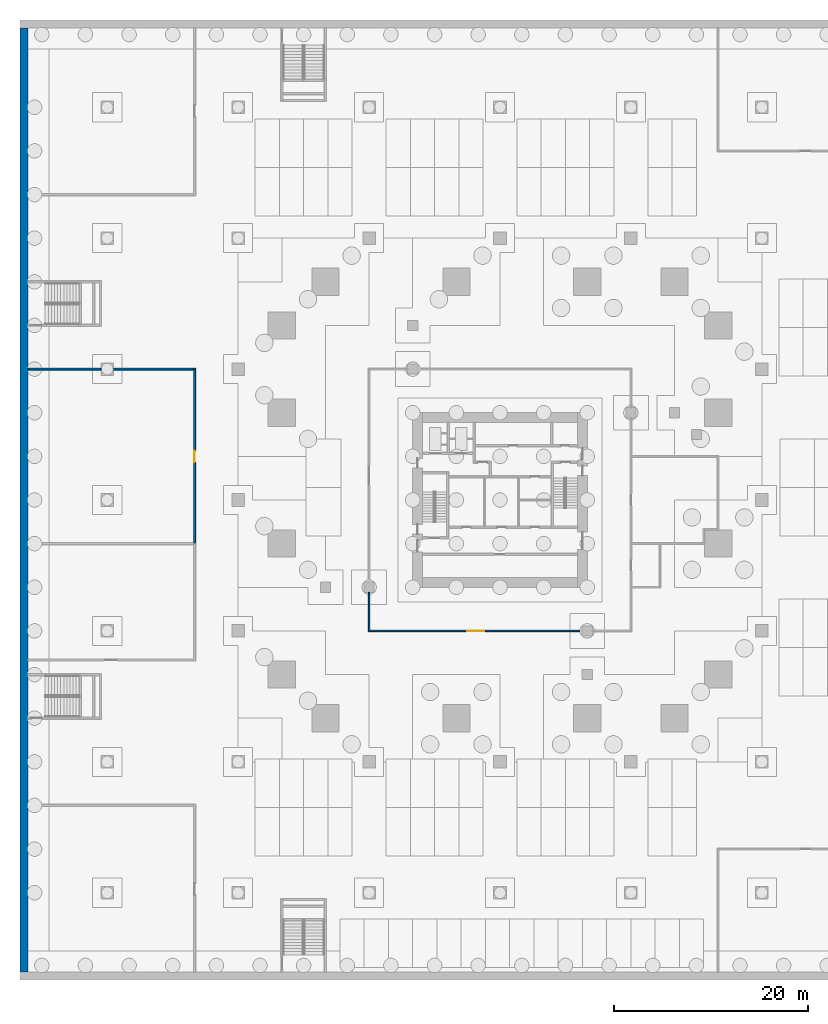
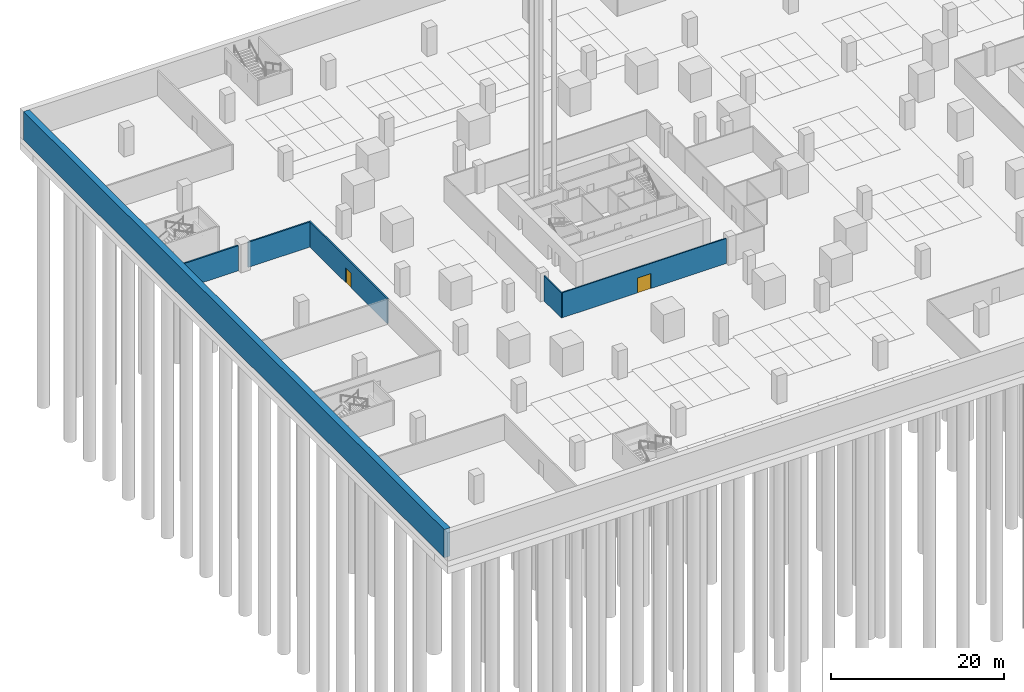
# One storey, part 5 of 40: 6 walls, 2 doors, 2 openings.
"""IFC4 building model written with IfcOpenShell, lengths in metres."""

from ifc_helpers import new_model, si_unit, direction, frame, frame_2d, origin, place, context, subcontext, project, spatial, rectangle, extrude, material, layer, layer_set, type_object, element, fill, save


model = new_model("IFC4")

# Units and contexts
model_context = context("Model", 3, precision=1e-05, world=origin(), true_north=direction((0.0, 1.0)))
body_context = subcontext(model_context, "Body", "Model", "MODEL_VIEW")
ifc_project = project(units=[si_unit("LENGTHUNIT", "METRE"), si_unit("AREAUNIT", "SQUARE_METRE"), si_unit("VOLUMEUNIT", "CUBIC_METRE"), si_unit("PLANEANGLEUNIT", "RADIAN"), si_unit("MASSUNIT", "GRAM", prefix="KILO")], contexts=[model_context])

# Site, building, storey
site_placement = place(None, origin())
site = spatial("IfcSite", under=ifc_project, at=site_placement, CompositionType="ELEMENT")
building_placement = place(site_placement, origin())
building = spatial("IfcBuilding", under=site, at=building_placement, Name="Altepetl Exchange Towers", CompositionType="ELEMENT")
storey_placement = place(building_placement, frame((0.0, 0.0, -8.0)))
storey = spatial("IfcBuildingStorey", under=building, at=storey_placement, Name="B2 Basement parking", CompositionType="ELEMENT", Elevation=-8.0)

# Wall, opening, door
ifc_material_1 = material(Name="Concrete block masonry", Category="masonry")
ifc_layer_1 = layer(ifc_material_1, 0.199951171875)
ifc_layer_set_1 = layer_set([ifc_layer_1], Name="Concrete block masonry")
wall_type_1 = type_object("IfcWallType", Name="Podium fire wall 200", PredefinedType="SOLIDWALL", material=ifc_layer_set_1)
wall_1_placement = place(storey_placement, frame((18.0, 45.0, 0.0), z_axis=(0.0, 0.0, 1.0), x_axis=(0.0, 1.0, 0.0)))
wall_1 = element("IfcWall", 1, at=wall_1_placement, inside=storey, type_object=wall_type_1, Name="wall:P:B2:P006", PredefinedType="SOLIDWALL", context=body_context, shape_type="SweptSolid", body=[
    extrude(rectangle(XDim=18.10009765625, YDim=0.199951171875, at=frame_2d((9.050048828125, 0.0))), origin(), (0.0, 0.0, 1.0), 3.550048828125),
])
opening_1_placement = place(wall_1_placement, frame((8.39990234375, 0.0, 0.0)))
opening_1 = element("IfcOpeningElement", 2, at=opening_1_placement, cuts=wall_1, Name="Opening B2.P003", PredefinedType="OPENING", context=body_context, shape_type="SweptSolid", body=[
    extrude(rectangle(XDim=1.199951171875, YDim=2.10009765625, at=frame_2d((0.60009765625, 1.050048828125))), frame((0.0, 0.10986328125, 0.0), z_axis=(0.0, -1.0, 0.0), x_axis=(1.0, 0.0, 0.0)), (0.0, 0.0, 1.0), 0.219970703125),
])
ifc_material_2 = material(Name="Steel fire door", Category="steel")
door_type_1 = type_object("IfcDoorType", Name="Podium fire door 1200 x 2100 double leaf", OperationType="DOUBLE_DOOR_SINGLE_SWING", PredefinedType="DOOR", material=ifc_material_2)
door_1_placement = place(opening_1_placement, origin())
door_1 = element("IfcDoor", 3, at=door_1_placement, inside=storey, type_object=door_type_1, Name="door:P:B2:003", OperationType="DOUBLE_DOOR_SINGLE_SWING", OverallHeight=2.10009765625, OverallWidth=1.199951171875, PredefinedType="DOOR", context=body_context, shape_type="SweptSolid", body=[
    extrude(rectangle(XDim=1.199951171875, YDim=2.10009765625, at=frame_2d((0.60009765625, 1.050048828125))), frame((0.0, 0.02490234375, 0.0), z_axis=(0.0, -1.0, 0.0), x_axis=(1.0, 0.0, 0.0)), (0.0, 0.0, 1.0), 0.050048828125),
])
fill(opening_1, door_1)

# Walls
wall_2_placement = place(storey_placement, frame((0.800048828125, 63.0, 0.0)))
element("IfcWall", 4, at=wall_2_placement, inside=storey, type_object=wall_type_1, Name="wall:P:B2:P007", PredefinedType="SOLIDWALL", context=body_context, shape_type="SweptSolid", body=[
    extrude(rectangle(XDim=7.554931640625, YDim=0.199951171875, at=frame_2d((3.77734375, 0.0))), origin(), (0.0, 0.0, 1.0), 3.550048828125),
])
wall_3_placement = place(storey_placement, frame((9.64501953125, 63.0, 0.0)))
element("IfcWall", 5, at=wall_3_placement, inside=storey, type_object=wall_type_1, Name="wall:P:B2:P008", PredefinedType="SOLIDWALL", context=body_context, shape_type="SweptSolid", body=[
    extrude(rectangle(XDim=8.2548828125, YDim=0.199951171875, at=frame_2d((4.12744140625, 0.0))), origin(), (0.0, 0.0, 1.0), 3.550048828125),
])
ifc_material_3 = material(Name="Gypsum board on steel studs", Category="steel")
ifc_layer_2 = layer(ifc_material_3, 0.14990234375)
ifc_layer_set_2 = layer_set([ifc_layer_2], Name="Gypsum board on steel studs")
wall_type_2 = type_object("IfcWallType", Name="Podium partition 150", PredefinedType="PARTITIONING", material=ifc_layer_set_2)
wall_4_placement = place(storey_placement, frame((36.0, 35.925048828125, 0.0), z_axis=(0.0, 0.0, 1.0), x_axis=(0.0, 1.0, 0.0)))
element("IfcWall", 6, at=wall_4_placement, inside=storey, type_object=wall_type_2, Name="wall:P:B2:P031", PredefinedType="PARTITIONING", context=body_context, shape_type="SweptSolid", body=[
    extrude(rectangle(XDim=4.054931640625, YDim=0.14990234375, at=frame_2d((2.02734375, 0.0))), origin(), (0.0, 0.0, 1.0), 3.550048828125),
])

# Wall, opening, door
wall_5_placement = place(storey_placement, frame((36.074951171875, 36.0, 0.0)))
wall_5 = element("IfcWall", 7, at=wall_5_placement, inside=storey, type_object=wall_type_2, Name="wall:P:B2:P036", PredefinedType="PARTITIONING", context=body_context, shape_type="SweptSolid", body=[
    extrude(rectangle(XDim=21.905029296875, YDim=0.14990234375, at=frame_2d((10.95263671875, 0.0))), origin(), (0.0, 0.0, 1.0), 3.550048828125),
])
opening_2_placement = place(wall_5_placement, frame((10.02490234375, 0.0, 0.0)))
opening_2 = element("IfcOpeningElement", 8, at=opening_2_placement, cuts=wall_5, Name="Opening B2.P021", PredefinedType="OPENING", context=body_context, shape_type="SweptSolid", body=[
    extrude(rectangle(XDim=1.800048828125, YDim=2.10009765625, at=frame_2d((0.89990234375, 1.050048828125))), frame((0.0, 0.0849609375, 0.0), z_axis=(0.0, -1.0, 0.0), x_axis=(1.0, 0.0, 0.0)), (0.0, 0.0, 1.0), 0.169921875),
])
ifc_material_4 = material(Name="Glazed aluminium and steel", Category="steel")
door_type_2 = type_object("IfcDoorType", Name="Podium fire door 1800 x 2100 double leaf", OperationType="DOUBLE_DOOR_SINGLE_SWING", PredefinedType="DOOR", material=ifc_material_4)
door_2_placement = place(opening_2_placement, origin())
door_2 = element("IfcDoor", 9, at=door_2_placement, inside=storey, type_object=door_type_2, Name="door:P:B2:021", OperationType="DOUBLE_DOOR_SINGLE_SWING", OverallHeight=2.10009765625, OverallWidth=1.800048828125, PredefinedType="DOOR", context=body_context, shape_type="SweptSolid", body=[
    extrude(rectangle(XDim=1.800048828125, YDim=2.10009765625, at=frame_2d((0.89990234375, 1.050048828125))), frame((0.0, 0.02490234375, 0.0), z_axis=(0.0, -1.0, 0.0), x_axis=(1.0, 0.0, 0.0)), (0.0, 0.0, 1.0), 0.050048828125),
])
fill(opening_2, door_2)

# Wall
ifc_material_5 = material(Name="Concrete C60/75", Category="concrete")
ifc_layer_3 = layer(ifc_material_5, 0.800048828125)
ifc_layer_set_3 = layer_set([ifc_layer_3], Name="Concrete C60/75")
wall_type_3 = type_object("IfcWallType", Name="Retaining wall 800", PredefinedType="SOLIDWALL", material=ifc_layer_set_3)
wall_6_placement = place(storey_placement, frame((0.39990234375, 0.800048828125, 0.0), z_axis=(0.0, 0.0, 1.0), x_axis=(0.0, 1.0, 0.0)))
element("IfcWall", 10, at=wall_6_placement, inside=storey, type_object=wall_type_3, Name="wall:P:B2:retW", PredefinedType="SOLIDWALL", context=body_context, shape_type="SweptSolid", body=[
    extrude(rectangle(XDim=97.39990234375, YDim=0.800048828125, at=frame_2d((48.699951171875, 0.0))), origin(), (0.0, 0.0, 1.0), 4.0),
])

save(model, "model.ifc")
